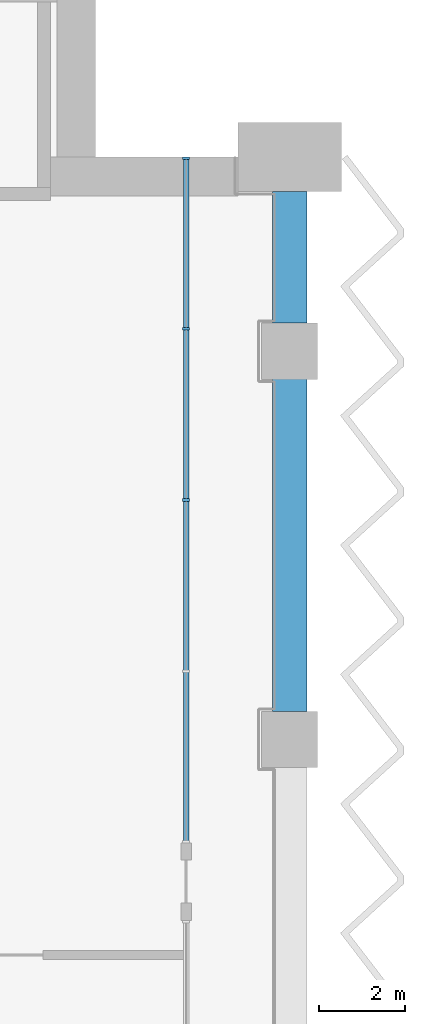
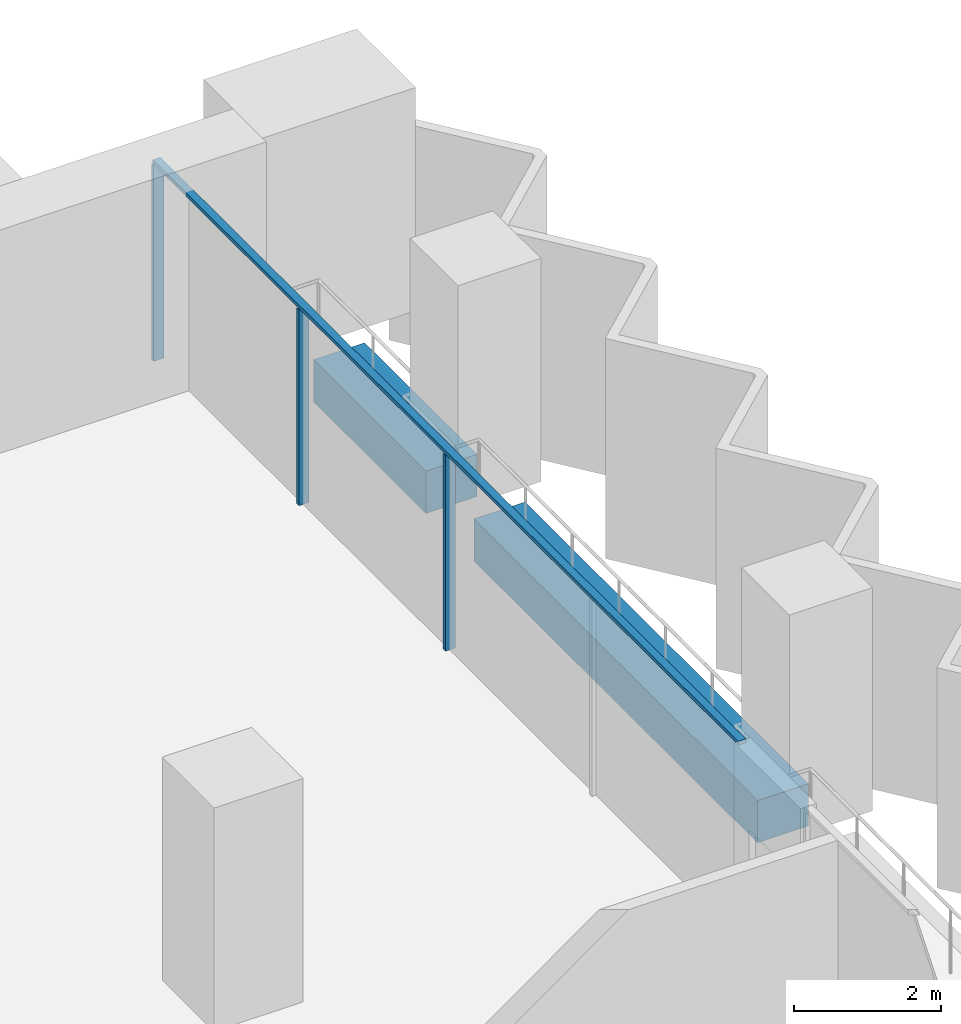
# One storey, part 7 of 29: 4 members, 2 beams, 1 element without a shape of its own.
"""IFC4 building model written with IfcOpenShell, lengths in metres."""

from ifc_helpers import new_model, si_unit, direction, frame, origin, origin_2d, place, context, subcontext, project, spatial, rectangle, extrude, material, material_profile, profile_set, type_object, element, aggregate, save


model = new_model("IFC4")

# Units and contexts
model_context = context("Model", 3, precision=1e-05, world=origin(), true_north=direction((0.0, 1.0)))
body_context = subcontext(model_context, "Body", "Model", "MODEL_VIEW")
ifc_project = project(units=[si_unit("LENGTHUNIT", "METRE"), si_unit("AREAUNIT", "SQUARE_METRE"), si_unit("VOLUMEUNIT", "CUBIC_METRE"), si_unit("PLANEANGLEUNIT", "RADIAN"), si_unit("MASSUNIT", "GRAM", prefix="KILO")], contexts=[model_context])

# Site, building, storey
site_placement = place(None, origin())
site = spatial("IfcSite", under=ifc_project, at=site_placement, CompositionType="ELEMENT")
building_placement = place(site_placement, origin())
building = spatial("IfcBuilding", under=site, at=building_placement, Name="Hunhe Ridgeline Campus", CompositionType="ELEMENT")
storey_placement = place(building_placement, frame((0.0, 0.0, 46.89990234375)))
storey = spatial("IfcBuildingStorey", under=building, at=storey_placement, Name="L10", CompositionType="ELEMENT", Elevation=46.89990234375)

# Curtain wall, members
ifc_material_1 = material(Name="Aluminium 6063", Category="aluminium")
curtain_wall_type = type_object("IfcCurtainWallType", Name="Curtain wall CW-1", PredefinedType="NOTDEFINED", material=ifc_material_1)
curtain_wall_placement = place(storey_placement, origin())
curtain_wall = element("IfcCurtainWall", 1, at=curtain_wall_placement, inside=storey, type_object=curtain_wall_type, Name="Curtain wall 15", PredefinedType="NOTDEFINED")
ifc_material_profile_1 = material_profile(ifc_material_1, rectangle(XDim=0.159912109375, YDim=0.06005859375, at=origin_2d()))
ifc_profile_set_1 = profile_set([ifc_material_profile_1], Name="Aluminium 6063")
member_type_1 = type_object("IfcMemberType", Name="CW-1 aluminium mullion", PredefinedType="MULLION", material=ifc_profile_set_1)
member_1_placement = place(storey_placement, frame((96.59912109375, 86.55029296875, 0.0), z_axis=(0.0, 0.0, 1.0), x_axis=(-1.0, 0.0, 0.0)))
member_1 = element("IfcMember", 2, at=member_1_placement, type_object=member_type_1, Name="CW-1 mullion 3", PredefinedType="MULLION", context=body_context, shape_type="SweptSolid", body=[
    extrude(rectangle(XDim=0.159912109375, YDim=0.06005859375, at=origin_2d()), origin(), (0.0, 0.0, 1.0), 3.239990234375),
])
member_2_placement = place(storey_placement, frame((96.59912109375, 90.525146484375, 0.0), z_axis=(0.0, 0.0, 1.0), x_axis=(-1.0, 0.0, 0.0)))
member_2 = element("IfcMember", 3, at=member_2_placement, type_object=member_type_1, Name="CW-1 mullion 4", PredefinedType="MULLION", context=body_context, shape_type="SweptSolid", body=[
    extrude(rectangle(XDim=0.159912109375, YDim=0.06005859375, at=origin_2d()), origin(), (0.0, 0.0, 1.0), 3.239990234375),
])
member_3_placement = place(storey_placement, frame((96.59912109375, 94.469970703125, 0.0), z_axis=(0.0, 0.0, 1.0), x_axis=(-1.0, 0.0, 0.0)))
member_3 = element("IfcMember", 4, at=member_3_placement, type_object=member_type_1, Name="CW-1 mullion 5", PredefinedType="MULLION", context=body_context, shape_type="SweptSolid", body=[
    extrude(rectangle(XDim=0.159912109375, YDim=0.06005859375, at=origin_2d()), origin(), (0.0, 0.0, 1.0), 3.239990234375),
])
ifc_material_profile_2 = material_profile(ifc_material_1, rectangle(XDim=0.1201171875, YDim=0.06005859375, at=origin_2d()))
ifc_profile_set_2 = profile_set([ifc_material_profile_2], Name="Aluminium 6063")
member_type_2 = type_object("IfcMemberType", Name="CW-1 aluminium transom", PredefinedType="USERDEFINED", material=ifc_profile_set_2)
member_4_placement = place(storey_placement, frame((96.59912109375, 78.6005859375, 3.27001953125), z_axis=(0.0, 1.0, 0.0), x_axis=(-1.0, 0.0, 0.0)))
member_4 = element("IfcMember", 5, at=member_4_placement, type_object=member_type_2, Name="CW-1 transom 1", ObjectType="TRANSOM", PredefinedType="USERDEFINED", context=body_context, shape_type="SweptSolid", body=[
    extrude(rectangle(XDim=0.1201171875, YDim=0.06005859375, at=origin_2d()), origin(), (0.0, 0.0, 1.0), 15.8994140625),
])
aggregate(curtain_wall, [member_4, member_1, member_2, member_3])

# Beams
ifc_material_2 = material(Name="Concrete C60", Category="concrete")
ifc_material_profile_3 = material_profile(ifc_material_2, rectangle(XDim=0.800048828125, YDim=0.699951171875, at=origin_2d()))
ifc_profile_set_3 = profile_set([ifc_material_profile_3], Name="Concrete C60")
beam_type = type_object("IfcBeamType", Name="RC spandrel beam 800x700 Concrete C60", PredefinedType="SPANDREL", material=ifc_profile_set_3)
beam_1_placement = place(storey_placement, frame((99.0, 81.64990234375, -0.599853515625), z_axis=(0.0, 1.0, 0.0), x_axis=(-1.0, 0.0, 0.0)))
element("IfcBeam", 6, at=beam_1_placement, inside=storey, type_object=beam_type, Name="Spandrel beam B1-23 L10", PredefinedType="SPANDREL", context=body_context, shape_type="SweptSolid", body=[
    extrude(rectangle(XDim=0.800048828125, YDim=0.699951171875, at=origin_2d()), origin(), (0.0, 0.0, 1.0), 7.7001953125),
])
beam_2_placement = place(storey_placement, frame((99.0, 90.64990234375, -0.599853515625), z_axis=(0.0, 1.0, 0.0), x_axis=(-1.0, 0.0, 0.0)))
element("IfcBeam", 7, at=beam_2_placement, inside=storey, type_object=beam_type, Name="Spandrel beam B1-24 L10", PredefinedType="SPANDREL", context=body_context, shape_type="SweptSolid", body=[
    extrude(rectangle(XDim=0.800048828125, YDim=0.699951171875, at=origin_2d()), origin(), (0.0, 0.0, 1.0), 3.050048828125),
])

save(model, "model.ifc")
